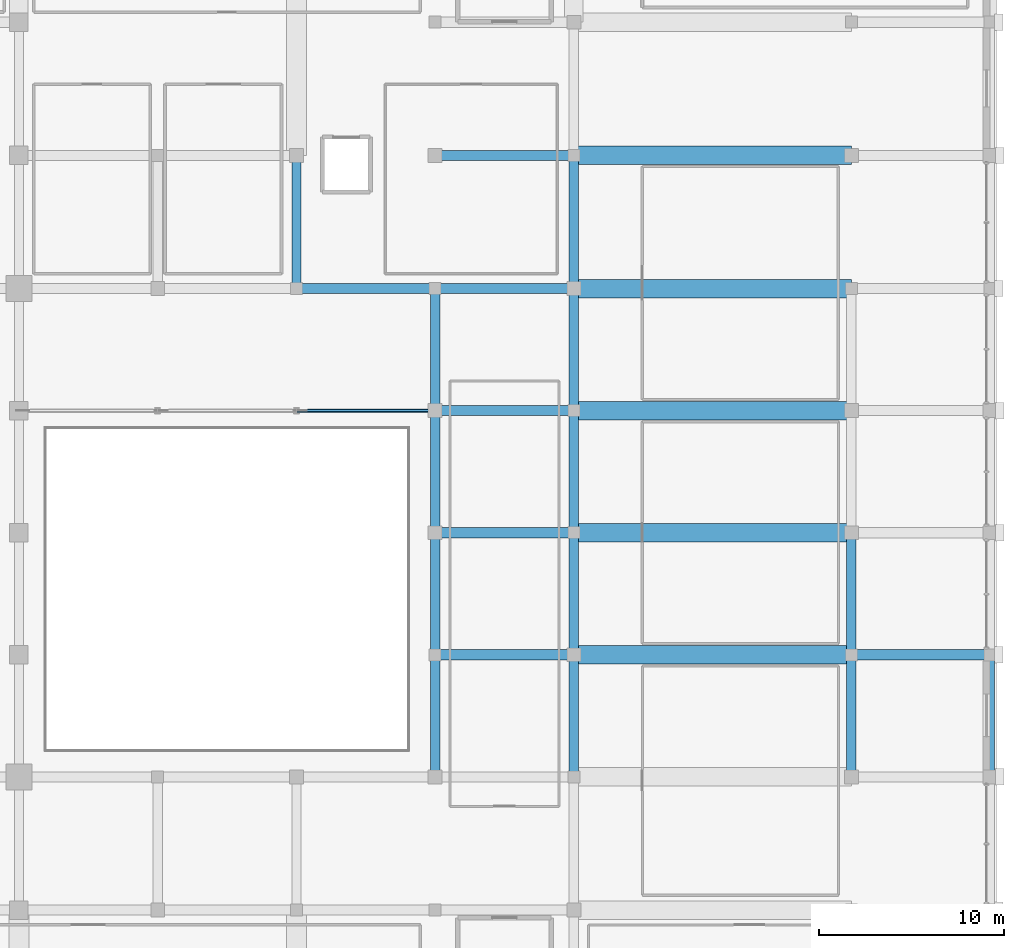
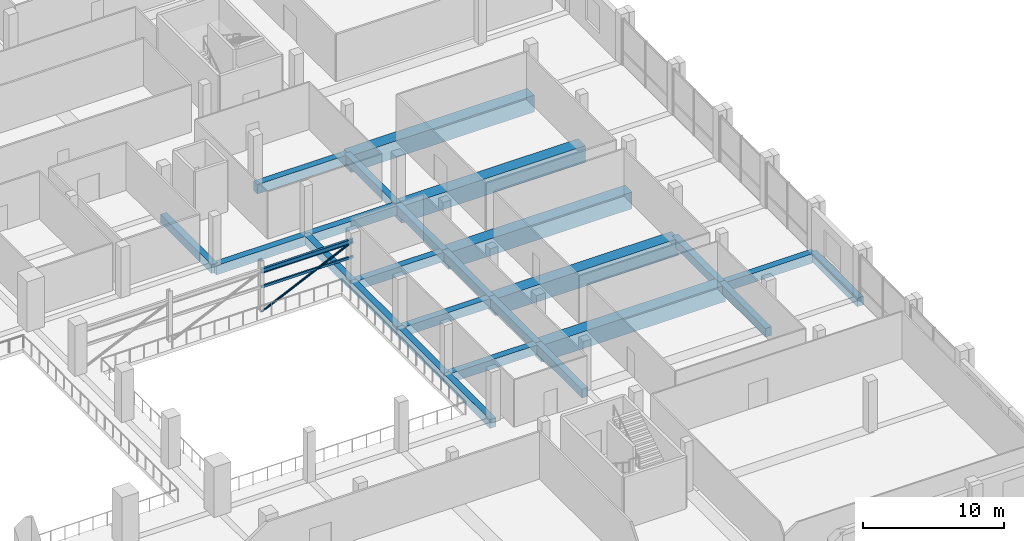
# One storey, part 33 of 64: 26 beams, 2 members.
"""IFC4 building model written with IfcOpenShell, lengths in metres."""

import ifcopenshell
import ifcopenshell.guid

model = None  # the IFC model being written
_history = None  # IfcOwnerHistory: only IFC2X3 demands one
_inside = {}  # id of a spatial element -> (the spatial element, [elements in it])
_under = {}  # id of a project, library or spatial element -> (it, [spatial elements below it])
_declared = {}  # id of a project -> (the project, [libraries it declares])
_typed = {}  # id of a type object -> (the type object, [elements of that type])
_made_of = {}  # id of a material, layer set ... -> (it, [elements and type objects made of it])


def new_model(schema):
    """Start an empty IFC model of exactly this schema.

    Asked for "IFC4X3", IfcOpenShell would pick the latest addendum, in which some entities
    have other attributes; the version numbers below select the first issue.
    IFC2X3 requires an IfcOwnerHistory on every rooted entity: one is made here for all.
    """
    global model, _history
    if schema == "IFC4X3":
        model = ifcopenshell.file(schema_version=(4, 3, 0, 0))
    else:
        model = ifcopenshell.file(schema=schema)
    _inside.clear()
    _under.clear()
    _declared.clear()
    _typed.clear()
    _made_of.clear()
    _history = None
    if model.schema == "IFC2X3":
        org = make("IfcOrganization", Name="unknown")
        user = make(
            "IfcPersonAndOrganization",
            ThePerson=make("IfcPerson", FamilyName="unknown"),
            TheOrganization=org,
        )
        app = make(
            "IfcApplication",
            ApplicationDeveloper=org,
            Version="unknown",
            ApplicationFullName="unknown",
            ApplicationIdentifier="unknown",
        )
        _history = make(
            "IfcOwnerHistory",
            OwningUser=user,
            OwningApplication=app,
            ChangeAction="ADDED",
            CreationDate=0,
        )
    return model


def make(cls, **values):
    """One entity of the class cls with the attributes given. An attribute that is None is left unset."""
    return model.create_entity(
        cls, **{name: value for name, value in values.items() if value is not None}
    )


def rooted(cls, **values):
    """An entity with a GlobalId (a new one), such as an element, a storey or a relation."""
    return make(cls, GlobalId=ifcopenshell.guid.new(), OwnerHistory=_history, **values)


def si_unit(unit_type, name, prefix=None):
    """IfcSIUnit, for example si_unit("LENGTHUNIT", "METRE", prefix="MILLI")."""
    return make("IfcSIUnit", UnitType=unit_type, Prefix=prefix, Name=name)


def assignment(units):
    """IfcUnitAssignment: the units of a project."""
    return None if units is None else make("IfcUnitAssignment", Units=units)


def point(xyz):
    """IfcCartesianPoint."""
    return None if xyz is None else make("IfcCartesianPoint", Coordinates=xyz)


def direction(xyz):
    """IfcDirection."""
    return None if xyz is None else make("IfcDirection", DirectionRatios=xyz)


def frame(location, z_axis=None, x_axis=None):
    """IfcAxis2Placement3D, a coordinate frame: its origin and axes. An axis left out is left unset."""
    return make(
        "IfcAxis2Placement3D",
        Location=point(location),
        Axis=direction(z_axis),
        RefDirection=direction(x_axis),
    )


def frame_2d(location, x_axis=None):
    """IfcAxis2Placement2D, a coordinate frame in the plane: its origin and x axis."""
    return make(
        "IfcAxis2Placement2D", Location=point(location), RefDirection=direction(x_axis)
    )


def origin():
    """The frame at (0, 0, 0) with its axes left unset."""
    return frame((0.0, 0.0, 0.0))


def origin_2d():
    """The frame at (0, 0) in the plane with its x axis left unset."""
    return frame_2d((0.0, 0.0))


def place(relative_to, where):
    """IfcLocalPlacement: puts the frame where relative to a parent placement (None: the world)."""
    return make(
        "IfcLocalPlacement", PlacementRelTo=relative_to, RelativePlacement=where
    )


def context(
    kind, dimensions, precision=None, world=None, true_north=None, identifier=None
):
    """IfcGeometricRepresentationContext, for example the 3D "Model" context."""
    return make(
        "IfcGeometricRepresentationContext",
        ContextIdentifier=identifier,
        ContextType=kind,
        CoordinateSpaceDimension=dimensions,
        Precision=precision,
        WorldCoordinateSystem=world,
        TrueNorth=true_north,
    )


def subcontext(parent, identifier, kind, view, scale=None):
    """IfcGeometricRepresentationSubContext, for example "Body" below "Model"."""
    return make(
        "IfcGeometricRepresentationSubContext",
        ContextIdentifier=identifier,
        ContextType=kind,
        ParentContext=parent,
        TargetScale=scale,
        TargetView=view,
    )


def project(units=None, contexts=None):
    """IfcProject with its units and contexts."""
    return rooted(
        "IfcProject",
        Name="project",
        RepresentationContexts=contexts,
        UnitsInContext=assignment(units),
    )


def spatial(cls, under=None, at=None, **own):
    """A site, building, storey or space (cls), placed at a placement, below another one or the project."""
    s = rooted(cls, ObjectPlacement=at, **own)
    if under is not None:
        _under.setdefault(under.id(), (under, []))[1].append(s)
    return s


def profile(cls, at=None, kind="AREA", **sizes):
    """A parametric profile (cls). Its sizes go by their IFC names, for example OverallWidth=200.0."""
    return make(cls, ProfileType=kind, Position=at, **sizes)


def rectangle(**sizes):
    """IfcRectangleProfileDef."""
    return profile("IfcRectangleProfileDef", **sizes)


def hollow_rectangle(**sizes):
    """IfcRectangleHollowProfileDef."""
    return profile("IfcRectangleHollowProfileDef", **sizes)


def hollow_circle(**sizes):
    """IfcCircleHollowProfileDef."""
    return profile("IfcCircleHollowProfileDef", **sizes)


def i_section(**sizes):
    """IfcIShapeProfileDef."""
    return profile("IfcIShapeProfileDef", **sizes)


def extrude(swept, where, along, depth):
    """IfcExtrudedAreaSolid: the profile swept, set in the frame where, extruded along a direction by depth."""
    return make(
        "IfcExtrudedAreaSolid",
        SweptArea=swept,
        Position=where,
        ExtrudedDirection=direction(along),
        Depth=depth,
    )


def shape(context_of_items, identifier, shape_type, items):
    """IfcShapeRepresentation: the items that make up one representation, for example the "Body"."""
    return make(
        "IfcShapeRepresentation",
        ContextOfItems=context_of_items,
        RepresentationIdentifier=identifier,
        RepresentationType=shape_type,
        Items=items,
    )


def material(Name=None, Category=None):
    """IfcMaterial."""
    return make("IfcMaterial", Name=Name, Category=Category)


def material_profile(
    of_material, cross_section, Name=None, Category=None, Priority=None
):
    """IfcMaterialProfile: a cross section and its material."""
    return make(
        "IfcMaterialProfile",
        Name=Name,
        Material=of_material,
        Profile=cross_section,
        Priority=Priority,
        Category=Category,
    )


def profile_set(profiles, Name=None, composite=None):
    """IfcMaterialProfileSet."""
    return make(
        "IfcMaterialProfileSet",
        Name=Name,
        MaterialProfiles=profiles,
        CompositeProfile=composite,
    )


def made_of(thing, what):
    """Note that an element or type object is made of a material, layer set ...; save() writes the relation."""
    if what is not None:
        _made_of.setdefault(what.id(), (what, []))[1].append(thing)
    return thing


def type_object(cls, material=None, **own):
    """A type object (cls), such as IfcWallType, which elements share."""
    return made_of(rooted(cls, **own), material)


def element(
    cls,
    number,
    at=None,
    inside=None,
    cuts=None,
    type_object=None,
    material=None,
    context=None,
    identifier="Body",
    shape_type=None,
    held_by="IfcProductDefinitionShape",
    body=None,
    shapes=None,
    **own,
):
    """One element of the class cls, such as IfcWall. Its Tag is "e" and its number.

    at: its placement. inside: the storey or other place that contains it. cuts: it is an
    opening in that element (IfcRelVoidsElement). A single representation is given by context,
    identifier, shape_type and body (its items); several are given by shapes. held_by: the class
    of the entity that holds the representations. save() writes the other relations.
    """
    e = rooted(cls, Tag="e%d" % number, ObjectPlacement=at, **own)
    if body is not None:
        shapes = [shape(context, identifier, shape_type, body)]
    if shapes is not None:
        e.Representation = make(held_by, Representations=shapes)
    if inside is not None:
        _inside.setdefault(inside.id(), (inside, []))[1].append(e)
    if cuts is not None:
        rooted(
            "IfcRelVoidsElement", RelatingBuildingElement=cuts, RelatedOpeningElement=e
        )
    if type_object is not None:
        _typed.setdefault(type_object.id(), (type_object, []))[1].append(e)
    return made_of(e, material)


def aggregate(whole, parts):
    """IfcRelAggregates: a whole, such as a stair, and the parts it consists of."""
    return rooted("IfcRelAggregates", RelatingObject=whole, RelatedObjects=parts)


def save(model, path):
    """Write the relations noted so far, then the file.

    IfcRelAggregates (storeys below a building ...), IfcRelContainedInSpatialStructure (elements
    in a storey), IfcRelDefinesByType, IfcRelAssociatesMaterial and IfcRelDeclares: one each for
    every whole, place, type object, material and project.
    """
    for whole, parts in _under.values():
        aggregate(whole, parts)
    for where, things in _inside.values():
        rooted(
            "IfcRelContainedInSpatialStructure",
            RelatedElements=things,
            RelatingStructure=where,
        )
    for kind, things in _typed.values():
        rooted("IfcRelDefinesByType", RelatedObjects=things, RelatingType=kind)
    for what, things in _made_of.values():
        rooted("IfcRelAssociatesMaterial", RelatedObjects=things, RelatingMaterial=what)
    for by, libraries in _declared.values():
        rooted("IfcRelDeclares", RelatingContext=by, RelatedDefinitions=libraries)
    model.write(path)


model = new_model("IFC4")

# Units and contexts
model_context = context("Model", 3, precision=1e-05, world=origin(), true_north=direction((0.0, 1.0)))
body_context = subcontext(model_context, "Body", "Model", "MODEL_VIEW")
ifc_project = project(units=[si_unit("LENGTHUNIT", "METRE"), si_unit("AREAUNIT", "SQUARE_METRE"), si_unit("VOLUMEUNIT", "CUBIC_METRE"), si_unit("PLANEANGLEUNIT", "RADIAN"), si_unit("MASSUNIT", "GRAM", prefix="KILO")], contexts=[model_context])

# Site, building, storey
site_placement = place(None, origin())
site = spatial("IfcSite", under=ifc_project, at=site_placement, CompositionType="ELEMENT")
building_placement = place(site_placement, origin())
building = spatial("IfcBuilding", under=site, at=building_placement, Name="Akrevak Sports Hall", CompositionType="ELEMENT")
storey_placement = place(building_placement, frame((0.0, 0.0, 4.60009765625)))
storey = spatial("IfcBuildingStorey", under=building, at=storey_placement, Name="L01", CompositionType="ELEMENT", Elevation=4.60009765625)

# Beams
ifc_material_1 = material(Name="Concrete C50/60", Category="concrete")
ifc_material_profile_1 = material_profile(ifc_material_1, rectangle(XDim=1.0, YDim=1.449951171875, at=origin_2d()), Name="BM 1000x1450", Category="concrete")
ifc_profile_set_1 = profile_set([ifc_material_profile_1], Name="Concrete C50/60")
beam_type_1 = type_object("IfcBeamType", Name="STR-BM-LG1000x1450", PredefinedType="BEAM", material=ifc_profile_set_1)
for number, where, z_axis, x_axis, name in (
    (1, (145.5, 35.39990234375, -0.72509765625), (1.0, 0.0, 0.0), (0.0, 1.0, 0.0), "Girder F/20-22 (L01)"),
    (2, (145.5, 42.0, -0.72509765625), (1.0, 0.0, 0.0), (0.0, 1.0, 0.0), "Girder G/20-22 (L01)"),
    (3, (145.5, 48.60009765625, -0.72509765625), (1.0, 0.0, 0.0), (0.0, 1.0, 0.0), "Girder H/20-22 (L01)"),
    (4, (145.5, 55.199951171875, -0.72509765625), (1.0, 0.0, 0.0), (0.0, 1.0, 0.0), "Girder I/20-22 (L01)"),
    (5, (145.5, 62.39990234375, -0.72509765625), (1.0, 0.0, 0.0), (0.0, 1.0, 0.0), "Girder J/20-22 (L01)"),
):
    element("IfcBeam", number, at=place(storey_placement, frame(where, z_axis=z_axis, x_axis=x_axis)), inside=storey, type_object=beam_type_1, Name=name, PredefinedType="BEAM", context=body_context, shape_type="SweptSolid", body=[
        extrude(rectangle(XDim=1.0, YDim=1.449951171875, at=origin_2d()), origin(), (0.0, 0.0, 1.0), 15.0),
    ])
ifc_material_2 = material(Name="Concrete C40/50", Category="concrete")
ifc_material_profile_2 = material_profile(ifc_material_2, rectangle(XDim=0.5, YDim=0.75, at=origin_2d()), Name="BM 500x750", Category="concrete")
ifc_profile_set_2 = profile_set([ifc_material_profile_2], Name="Concrete C40/50")
beam_type_2 = type_object("IfcBeamType", Name="STR-BM-RC500x750", PredefinedType="BEAM", material=ifc_profile_set_2)
beam_1_placement = place(storey_placement, frame((130.5, 55.199951171875, -0.375), z_axis=(0.0, 1.0, 0.0), x_axis=(-1.0, 0.0, 0.0)))
element("IfcBeam", 6, at=beam_1_placement, inside=storey, type_object=beam_type_2, Name="Girder 18/I-J (L01)", PredefinedType="BEAM", context=body_context, shape_type="SweptSolid", body=[
    extrude(rectangle(XDim=0.5, YDim=0.75, at=origin_2d()), origin(), (0.0, 0.0, 1.0), 7.199951171875),
])
beam_2_placement = place(storey_placement, frame((138.0, 28.800048828125, -0.375), z_axis=(0.0, 1.0, 0.0), x_axis=(-1.0, 0.0, 0.0)))
element("IfcBeam", 7, at=beam_2_placement, inside=storey, type_object=beam_type_2, Name="Girder 19/E-F (L01)", PredefinedType="BEAM", context=body_context, shape_type="SweptSolid", body=[
    extrude(rectangle(XDim=0.5, YDim=0.75, at=origin_2d()), origin(), (0.0, 0.0, 1.0), 6.599853515625),
])
for number, where, z_axis, x_axis, name in (
    (8, (138.0, 35.39990234375, -0.375), (0.0, 1.0, 0.0), (-1.0, 0.0, 0.0), "Girder 19/F-G (L01)"),
    (9, (138.0, 42.0, -0.375), (0.0, 1.0, 0.0), (-1.0, 0.0, 0.0), "Girder 19/G-H (L01)"),
):
    element("IfcBeam", number, at=place(storey_placement, frame(where, z_axis=z_axis, x_axis=x_axis)), inside=storey, type_object=beam_type_2, Name=name, PredefinedType="BEAM", context=body_context, shape_type="SweptSolid", body=[
        extrude(rectangle(XDim=0.5, YDim=0.75, at=origin_2d()), origin(), (0.0, 0.0, 1.0), 6.60009765625),
    ])
for number, where, z_axis, x_axis, name in (
    (10, (138.0, 48.60009765625, -0.375), (0.0, 1.0, 0.0), (-1.0, 0.0, 0.0), "Girder 19/H-I (L01)"),
    (11, (145.5, 28.800048828125, -0.375), (0.0, 1.0, 0.0), (-1.0, 0.0, 0.0), "Girder 20/E-F (L01)"),
):
    element("IfcBeam", number, at=place(storey_placement, frame(where, z_axis=z_axis, x_axis=x_axis)), inside=storey, type_object=beam_type_2, Name=name, PredefinedType="BEAM", context=body_context, shape_type="SweptSolid", body=[
        extrude(rectangle(XDim=0.5, YDim=0.75, at=origin_2d()), origin(), (0.0, 0.0, 1.0), 6.599853515625),
    ])
for number, where, z_axis, x_axis, name in (
    (12, (145.5, 35.39990234375, -0.375), (0.0, 1.0, 0.0), (-1.0, 0.0, 0.0), "Girder 20/F-G (L01)"),
    (13, (145.5, 42.0, -0.375), (0.0, 1.0, 0.0), (-1.0, 0.0, 0.0), "Girder 20/G-H (L01)"),
):
    element("IfcBeam", number, at=place(storey_placement, frame(where, z_axis=z_axis, x_axis=x_axis)), inside=storey, type_object=beam_type_2, Name=name, PredefinedType="BEAM", context=body_context, shape_type="SweptSolid", body=[
        extrude(rectangle(XDim=0.5, YDim=0.75, at=origin_2d()), origin(), (0.0, 0.0, 1.0), 6.60009765625),
    ])
beam_3_placement = place(storey_placement, frame((145.5, 48.60009765625, -0.375), z_axis=(0.0, 1.0, 0.0), x_axis=(-1.0, 0.0, 0.0)))
element("IfcBeam", 14, at=beam_3_placement, inside=storey, type_object=beam_type_2, Name="Girder 20/H-I (L01)", PredefinedType="BEAM", context=body_context, shape_type="SweptSolid", body=[
    extrude(rectangle(XDim=0.5, YDim=0.75, at=origin_2d()), origin(), (0.0, 0.0, 1.0), 6.599853515625),
])
beam_4_placement = place(storey_placement, frame((145.5, 55.199951171875, -0.375), z_axis=(0.0, 1.0, 0.0), x_axis=(-1.0, 0.0, 0.0)))
element("IfcBeam", 15, at=beam_4_placement, inside=storey, type_object=beam_type_2, Name="Girder 20/I-J (L01)", PredefinedType="BEAM", context=body_context, shape_type="SweptSolid", body=[
    extrude(rectangle(XDim=0.5, YDim=0.75, at=origin_2d()), origin(), (0.0, 0.0, 1.0), 7.199951171875),
])
beam_5_placement = place(storey_placement, frame((160.5, 28.800048828125, -0.375), z_axis=(0.0, 1.0, 0.0), x_axis=(-1.0, 0.0, 0.0)))
element("IfcBeam", 16, at=beam_5_placement, inside=storey, type_object=beam_type_2, Name="Girder 22/E-F (L01)", PredefinedType="BEAM", context=body_context, shape_type="SweptSolid", body=[
    extrude(rectangle(XDim=0.5, YDim=0.75, at=origin_2d()), origin(), (0.0, 0.0, 1.0), 6.599853515625),
])
beam_6_placement = place(storey_placement, frame((160.5, 35.39990234375, -0.375), z_axis=(0.0, 1.0, 0.0), x_axis=(-1.0, 0.0, 0.0)))
element("IfcBeam", 17, at=beam_6_placement, inside=storey, type_object=beam_type_2, Name="Girder 22/F-G (L01)", PredefinedType="BEAM", context=body_context, shape_type="SweptSolid", body=[
    extrude(rectangle(XDim=0.5, YDim=0.75, at=origin_2d()), origin(), (0.0, 0.0, 1.0), 6.60009765625),
])
beam_7_placement = place(storey_placement, frame((168.0, 28.800048828125, -0.375), z_axis=(0.0, 1.0, 0.0), x_axis=(-1.0, 0.0, 0.0)))
element("IfcBeam", 18, at=beam_7_placement, inside=storey, type_object=beam_type_2, Name="Girder 23/E-F (L01)", PredefinedType="BEAM", context=body_context, shape_type="SweptSolid", body=[
    extrude(rectangle(XDim=0.5, YDim=0.75, at=origin_2d()), origin(), (0.0, 0.0, 1.0), 6.599853515625),
])
ifc_material_profile_3 = material_profile(ifc_material_2, rectangle(XDim=0.550048828125, YDim=0.800048828125, at=origin_2d()), Name="BM 550x800", Category="concrete")
ifc_profile_set_3 = profile_set([ifc_material_profile_3], Name="Concrete C40/50")
beam_type_3 = type_object("IfcBeamType", Name="STR-BM-RC550x800", PredefinedType="BEAM", material=ifc_profile_set_3)
for number, where, z_axis, x_axis, name in (
    (19, (138.0, 35.39990234375, -0.400146484375), (1.0, 0.0, 0.0), (0.0, 1.0, 0.0), "Girder F/19-20 (L01)"),
    (20, (160.5, 35.39990234375, -0.400146484375), (1.0, 0.0, 0.0), (0.0, 1.0, 0.0), "Girder F/22-23 (L01)"),
    (21, (138.0, 42.0, -0.400146484375), (1.0, 0.0, 0.0), (0.0, 1.0, 0.0), "Girder G/19-20 (L01)"),
    (22, (138.0, 48.60009765625, -0.400146484375), (1.0, 0.0, 0.0), (0.0, 1.0, 0.0), "Girder H/19-20 (L01)"),
    (23, (130.5, 55.199951171875, -0.400146484375), (1.0, 0.0, 0.0), (0.0, 1.0, 0.0), "Girder I/18-19 (L01)"),
    (24, (138.0, 55.199951171875, -0.400146484375), (1.0, 0.0, 0.0), (0.0, 1.0, 0.0), "Girder I/19-20 (L01)"),
    (25, (138.0, 62.39990234375, -0.400146484375), (1.0, 0.0, 0.0), (0.0, 1.0, 0.0), "Girder J/19-20 (L01)"),
):
    element("IfcBeam", number, at=place(storey_placement, frame(where, z_axis=z_axis, x_axis=x_axis)), inside=storey, type_object=beam_type_3, Name=name, PredefinedType="BEAM", context=body_context, shape_type="SweptSolid", body=[
        extrude(rectangle(XDim=0.550048828125, YDim=0.800048828125, at=origin_2d()), origin(), (0.0, 0.0, 1.0), 7.5),
    ])
ifc_material_3 = material(Name="Steel S355", Category="steel")
ifc_material_profile_4 = material_profile(ifc_material_3, i_section(OverallWidth=0.179931640625, OverallDepth=0.39990234375, WebThickness=0.008544921875, FlangeThickness=0.013427734375, FilletRadius=0.02099609375, at=origin_2d()), Name="IPE 400", Category="steel")
ifc_profile_set_4 = profile_set([ifc_material_profile_4], Name="Steel S355")
beam_type_4 = type_object("IfcBeamType", Name="STR-BM-STL-IPE400", PredefinedType="JOIST", material=ifc_profile_set_4)
beam_8_placement = place(storey_placement, frame((130.5, 48.60009765625, 3.39990234375), z_axis=(1.0, 0.0, 0.0), x_axis=(0.0, 1.0, 0.0)))
element("IfcBeam", 26, at=beam_8_placement, inside=storey, type_object=beam_type_4, Name="Climbing Frame Tie Beam 3 (L01)", PredefinedType="JOIST", context=body_context, shape_type="SweptSolid", body=[
    extrude(i_section(OverallWidth=0.179931640625, OverallDepth=0.39990234375, WebThickness=0.008544921875, FlangeThickness=0.013427734375, FilletRadius=0.02099609375, at=origin_2d()), origin(), (0.0, 0.0, 1.0), 7.5),
])

# Members
ifc_material_profile_5 = material_profile(ifc_material_3, hollow_circle(Radius=0.084228515625, WallThickness=0.008056640625, at=origin_2d()), Name="CHS 168.3x8", Category="steel")
ifc_profile_set_5 = profile_set([ifc_material_profile_5], Name="Steel S355")
member_type_1 = type_object("IfcMemberType", Name="STR-MEM-BRACE-CHS168", PredefinedType="BRACE", material=ifc_profile_set_5)
member_1_placement = place(storey_placement, frame((130.5, 48.60009765625, -0.150146484375), z_axis=(0.906183139995, 0.0, 0.422885465331), x_axis=(0.0, 1.0, 0.0)))
element("IfcMember", 27, at=member_1_placement, inside=storey, type_object=member_type_1, Name="Climbing Wall Diagonal Brace BR-3 (L01)", PredefinedType="BRACE", context=body_context, shape_type="SweptSolid", body=[
    extrude(hollow_circle(Radius=0.084228515625, WallThickness=0.008056640625, at=origin_2d()), origin(), (0.0, 0.0, 1.0), 8.2763671875),
])
ifc_material_profile_6 = material_profile(ifc_material_3, hollow_rectangle(XDim=0.1201171875, YDim=0.199951171875, WallThickness=0.010009765625, at=origin_2d()), Name="RHS 200x120x10", Category="steel")
ifc_profile_set_6 = profile_set([ifc_material_profile_6], Name="Steel S355")
member_type_2 = type_object("IfcMemberType", Name="STR-MEM-STR-RHS200", PredefinedType="STRINGER", material=ifc_profile_set_6)
member_2_placement = place(storey_placement, frame((130.5, 48.60009765625, 2.02490234375), z_axis=(1.0, 0.0, 0.0), x_axis=(0.0, 1.0, 0.0)))
element("IfcMember", 28, at=member_2_placement, inside=storey, type_object=member_type_2, Name="Climbing Wall Stringer STG-3 (L01)", PredefinedType="STRINGER", context=body_context, shape_type="SweptSolid", body=[
    extrude(hollow_rectangle(XDim=0.1201171875, YDim=0.199951171875, WallThickness=0.010009765625, at=origin_2d()), origin(), (0.0, 0.0, 1.0), 7.5),
])

save(model, "model.ifc")
